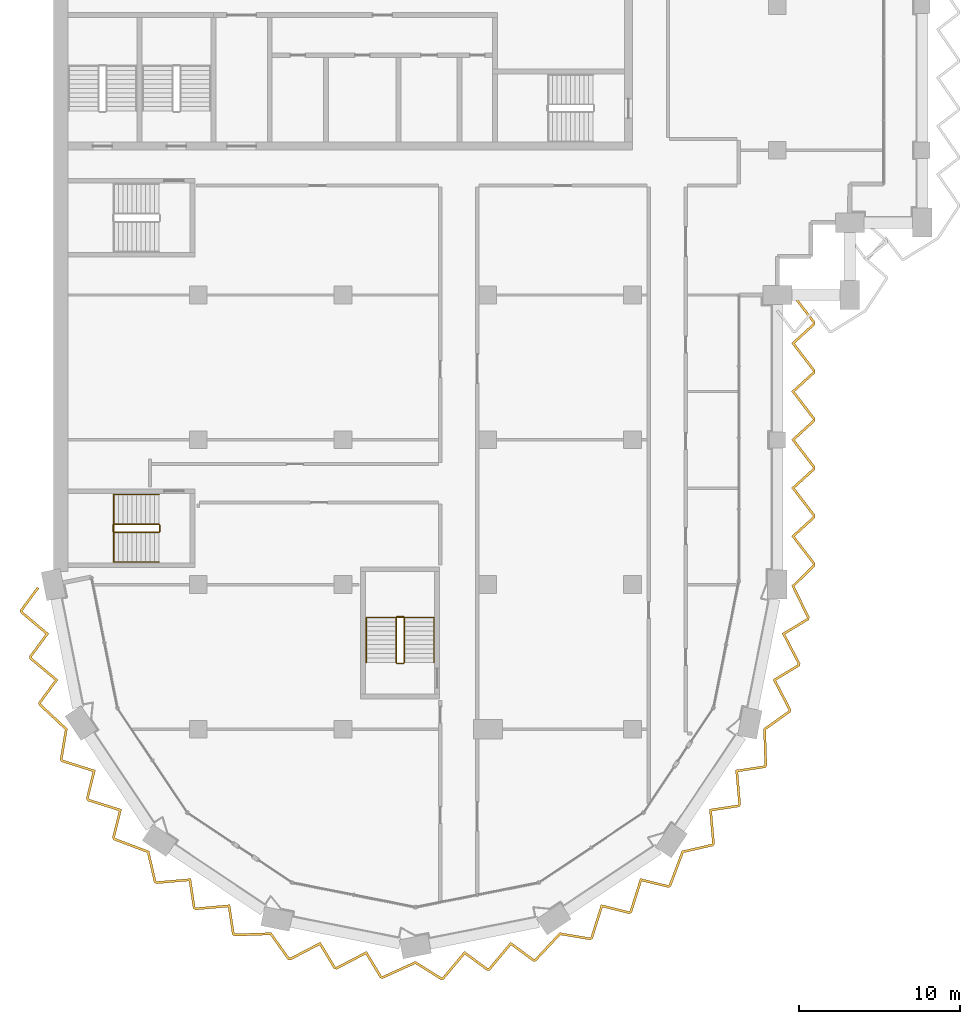
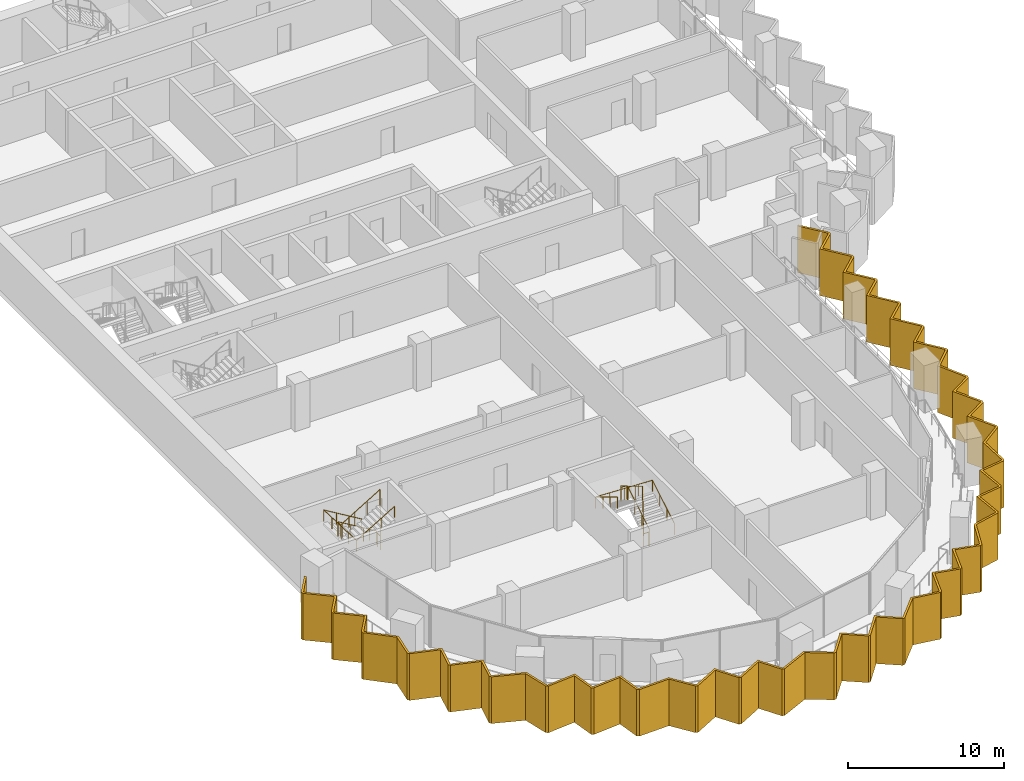
# One storey, part 14 of 17: 4 railings, 1 shading device.
"""IFC4 building model written with IfcOpenShell, lengths in metres."""

import ifcopenshell
import ifcopenshell.guid

model = None  # the IFC model being written
_history = None  # IfcOwnerHistory: only IFC2X3 demands one
_inside = {}  # id of a spatial element -> (the spatial element, [elements in it])
_under = {}  # id of a project, library or spatial element -> (it, [spatial elements below it])
_declared = {}  # id of a project -> (the project, [libraries it declares])
_typed = {}  # id of a type object -> (the type object, [elements of that type])
_made_of = {}  # id of a material, layer set ... -> (it, [elements and type objects made of it])


def new_model(schema):
    """Start an empty IFC model of exactly this schema.

    Asked for "IFC4X3", IfcOpenShell would pick the latest addendum, in which some entities
    have other attributes; the version numbers below select the first issue.
    IFC2X3 requires an IfcOwnerHistory on every rooted entity: one is made here for all.
    """
    global model, _history
    if schema == "IFC4X3":
        model = ifcopenshell.file(schema_version=(4, 3, 0, 0))
    else:
        model = ifcopenshell.file(schema=schema)
    _inside.clear()
    _under.clear()
    _declared.clear()
    _typed.clear()
    _made_of.clear()
    _history = None
    if model.schema == "IFC2X3":
        org = make("IfcOrganization", Name="unknown")
        user = make(
            "IfcPersonAndOrganization",
            ThePerson=make("IfcPerson", FamilyName="unknown"),
            TheOrganization=org,
        )
        app = make(
            "IfcApplication",
            ApplicationDeveloper=org,
            Version="unknown",
            ApplicationFullName="unknown",
            ApplicationIdentifier="unknown",
        )
        _history = make(
            "IfcOwnerHistory",
            OwningUser=user,
            OwningApplication=app,
            ChangeAction="ADDED",
            CreationDate=0,
        )
    return model


def make(cls, **values):
    """One entity of the class cls with the attributes given. An attribute that is None is left unset."""
    return model.create_entity(
        cls, **{name: value for name, value in values.items() if value is not None}
    )


def rooted(cls, **values):
    """An entity with a GlobalId (a new one), such as an element, a storey or a relation."""
    return make(cls, GlobalId=ifcopenshell.guid.new(), OwnerHistory=_history, **values)


def si_unit(unit_type, name, prefix=None):
    """IfcSIUnit, for example si_unit("LENGTHUNIT", "METRE", prefix="MILLI")."""
    return make("IfcSIUnit", UnitType=unit_type, Prefix=prefix, Name=name)


def assignment(units):
    """IfcUnitAssignment: the units of a project."""
    return None if units is None else make("IfcUnitAssignment", Units=units)


def point(xyz):
    """IfcCartesianPoint."""
    return None if xyz is None else make("IfcCartesianPoint", Coordinates=xyz)


def direction(xyz):
    """IfcDirection."""
    return None if xyz is None else make("IfcDirection", DirectionRatios=xyz)


def frame(location, z_axis=None, x_axis=None):
    """IfcAxis2Placement3D, a coordinate frame: its origin and axes. An axis left out is left unset."""
    return make(
        "IfcAxis2Placement3D",
        Location=point(location),
        Axis=direction(z_axis),
        RefDirection=direction(x_axis),
    )


def frame_2d(location, x_axis=None):
    """IfcAxis2Placement2D, a coordinate frame in the plane: its origin and x axis."""
    return make(
        "IfcAxis2Placement2D", Location=point(location), RefDirection=direction(x_axis)
    )


def origin():
    """The frame at (0, 0, 0) with its axes left unset."""
    return frame((0.0, 0.0, 0.0))


def origin_2d():
    """The frame at (0, 0) in the plane with its x axis left unset."""
    return frame_2d((0.0, 0.0))


def place(relative_to, where):
    """IfcLocalPlacement: puts the frame where relative to a parent placement (None: the world)."""
    return make(
        "IfcLocalPlacement", PlacementRelTo=relative_to, RelativePlacement=where
    )


def context(
    kind, dimensions, precision=None, world=None, true_north=None, identifier=None
):
    """IfcGeometricRepresentationContext, for example the 3D "Model" context."""
    return make(
        "IfcGeometricRepresentationContext",
        ContextIdentifier=identifier,
        ContextType=kind,
        CoordinateSpaceDimension=dimensions,
        Precision=precision,
        WorldCoordinateSystem=world,
        TrueNorth=true_north,
    )


def subcontext(parent, identifier, kind, view, scale=None):
    """IfcGeometricRepresentationSubContext, for example "Body" below "Model"."""
    return make(
        "IfcGeometricRepresentationSubContext",
        ContextIdentifier=identifier,
        ContextType=kind,
        ParentContext=parent,
        TargetScale=scale,
        TargetView=view,
    )


def project(units=None, contexts=None):
    """IfcProject with its units and contexts."""
    return rooted(
        "IfcProject",
        Name="project",
        RepresentationContexts=contexts,
        UnitsInContext=assignment(units),
    )


def spatial(cls, under=None, at=None, **own):
    """A site, building, storey or space (cls), placed at a placement, below another one or the project."""
    s = rooted(cls, ObjectPlacement=at, **own)
    if under is not None:
        _under.setdefault(under.id(), (under, []))[1].append(s)
    return s


def polyline(points):
    """IfcPolyline through the points."""
    return make("IfcPolyline", Points=[point(p) for p in points])


def profile(cls, at=None, kind="AREA", **sizes):
    """A parametric profile (cls). Its sizes go by their IFC names, for example OverallWidth=200.0."""
    return make(cls, ProfileType=kind, Position=at, **sizes)


def circle(**sizes):
    """IfcCircleProfileDef."""
    return profile("IfcCircleProfileDef", **sizes)


def outline(outer, holes=None, kind="AREA"):
    """IfcArbitraryClosedProfileDef: a profile drawn as a closed curve; with holes, ...WithVoids."""
    if holes is None:
        return make("IfcArbitraryClosedProfileDef", ProfileType=kind, OuterCurve=outer)
    return make(
        "IfcArbitraryProfileDefWithVoids",
        ProfileType=kind,
        OuterCurve=outer,
        InnerCurves=holes,
    )


def extrude(swept, where, along, depth):
    """IfcExtrudedAreaSolid: the profile swept, set in the frame where, extruded along a direction by depth."""
    return make(
        "IfcExtrudedAreaSolid",
        SweptArea=swept,
        Position=where,
        ExtrudedDirection=direction(along),
        Depth=depth,
    )


def shape(context_of_items, identifier, shape_type, items):
    """IfcShapeRepresentation: the items that make up one representation, for example the "Body"."""
    return make(
        "IfcShapeRepresentation",
        ContextOfItems=context_of_items,
        RepresentationIdentifier=identifier,
        RepresentationType=shape_type,
        Items=items,
    )


def material(Name=None, Category=None):
    """IfcMaterial."""
    return make("IfcMaterial", Name=Name, Category=Category)


def layer(
    of_material, thickness, ventilated=None, Name=None, Category=None, Priority=None
):
    """IfcMaterialLayer: one layer of a wall or slab, of a material (None: an air gap)."""
    return make(
        "IfcMaterialLayer",
        Material=of_material,
        LayerThickness=thickness,
        IsVentilated=ventilated,
        Name=Name,
        Category=Category,
        Priority=Priority,
    )


def layer_set(layers, Name=None):
    """IfcMaterialLayerSet."""
    return make("IfcMaterialLayerSet", MaterialLayers=layers, LayerSetName=Name)


def made_of(thing, what):
    """Note that an element or type object is made of a material, layer set ...; save() writes the relation."""
    if what is not None:
        _made_of.setdefault(what.id(), (what, []))[1].append(thing)
    return thing


def type_object(cls, material=None, **own):
    """A type object (cls), such as IfcWallType, which elements share."""
    return made_of(rooted(cls, **own), material)


def element(
    cls,
    number,
    at=None,
    inside=None,
    cuts=None,
    type_object=None,
    material=None,
    context=None,
    identifier="Body",
    shape_type=None,
    held_by="IfcProductDefinitionShape",
    body=None,
    shapes=None,
    **own,
):
    """One element of the class cls, such as IfcWall. Its Tag is "e" and its number.

    at: its placement. inside: the storey or other place that contains it. cuts: it is an
    opening in that element (IfcRelVoidsElement). A single representation is given by context,
    identifier, shape_type and body (its items); several are given by shapes. held_by: the class
    of the entity that holds the representations. save() writes the other relations.
    """
    e = rooted(cls, Tag="e%d" % number, ObjectPlacement=at, **own)
    if body is not None:
        shapes = [shape(context, identifier, shape_type, body)]
    if shapes is not None:
        e.Representation = make(held_by, Representations=shapes)
    if inside is not None:
        _inside.setdefault(inside.id(), (inside, []))[1].append(e)
    if cuts is not None:
        rooted(
            "IfcRelVoidsElement", RelatingBuildingElement=cuts, RelatedOpeningElement=e
        )
    if type_object is not None:
        _typed.setdefault(type_object.id(), (type_object, []))[1].append(e)
    return made_of(e, material)


def aggregate(whole, parts):
    """IfcRelAggregates: a whole, such as a stair, and the parts it consists of."""
    return rooted("IfcRelAggregates", RelatingObject=whole, RelatedObjects=parts)


def save(model, path):
    """Write the relations noted so far, then the file.

    IfcRelAggregates (storeys below a building ...), IfcRelContainedInSpatialStructure (elements
    in a storey), IfcRelDefinesByType, IfcRelAssociatesMaterial and IfcRelDeclares: one each for
    every whole, place, type object, material and project.
    """
    for whole, parts in _under.values():
        aggregate(whole, parts)
    for where, things in _inside.values():
        rooted(
            "IfcRelContainedInSpatialStructure",
            RelatedElements=things,
            RelatingStructure=where,
        )
    for kind, things in _typed.values():
        rooted("IfcRelDefinesByType", RelatedObjects=things, RelatingType=kind)
    for what, things in _made_of.values():
        rooted("IfcRelAssociatesMaterial", RelatedObjects=things, RelatingMaterial=what)
    for by, libraries in _declared.values():
        rooted("IfcRelDeclares", RelatingContext=by, RelatedDefinitions=libraries)
    model.write(path)


model = new_model("IFC4")

# Units and contexts
model_context = context("Model", 3, precision=1e-05, world=origin(), true_north=direction((0.0, 1.0)))
body_context = subcontext(model_context, "Body", "Model", "MODEL_VIEW")
ifc_project = project(units=[si_unit("LENGTHUNIT", "METRE"), si_unit("AREAUNIT", "SQUARE_METRE"), si_unit("VOLUMEUNIT", "CUBIC_METRE"), si_unit("PLANEANGLEUNIT", "RADIAN"), si_unit("MASSUNIT", "GRAM", prefix="KILO")], contexts=[model_context])

# Site, building, storey
site_placement = place(None, origin())
site = spatial("IfcSite", under=ifc_project, at=site_placement, CompositionType="ELEMENT")
building_placement = place(site_placement, origin())
building = spatial("IfcBuilding", under=site, at=building_placement, Name="Hunhe Ridgeline Campus", CompositionType="ELEMENT")
storey_placement = place(building_placement, frame((0.0, 0.0, 193.89990234375)))
storey = spatial("IfcBuildingStorey", under=building, at=storey_placement, Name="L49", CompositionType="ELEMENT", Elevation=193.89990234375)

# Shading device
ifc_material_1 = material(Name="Concrete C50", Category="concrete")
ifc_layer = layer(ifc_material_1, 0.14990234375)
ifc_layer_set = layer_set([ifc_layer], Name="Sawtooth concrete fin 150 Concrete C50")
shading_device_type = type_object("IfcShadingDeviceType", Name="Sawtooth concrete fin 150 Concrete C50", PredefinedType="USERDEFINED", material=ifc_layer_set)
shading_device_placement = place(storey_placement, frame((0.0, 0.0, -0.949951171875)))
element("IfcShadingDevice", 1, at=shading_device_placement, inside=storey, type_object=shading_device_type, Name="Concrete fin screen 1", ObjectType="FIN", PredefinedType="USERDEFINED", context=body_context, shape_type="SweptSolid", body=[
    extrude(outline(polyline([(-0.89599609375, 35.765380859375), (-1.0166015625, 35.854248046875), (-2.079833984375, 34.41064453125), (-2.044921875, 34.23486328125), (-0.487548828125, 32.927490234375), (-1.509033203125, 31.54052734375), (-1.47412109375, 31.364501953125), (0.08349609375, 30.057373046875), (-0.938232421875, 28.67041015625), (-0.903564453125, 28.496826171875), (0.713623046875, 26.98193359375), (0.401123046875, 25.12255859375), (0.4990234375, 24.97607421875), (2.438232421875, 24.364501953125), (2.025146484375, 22.692138671875), (2.124755859375, 22.54296875), (4.06396484375, 21.93115234375), (3.65087890625, 20.259033203125), (3.749267578125, 20.11181640625), (5.822998046875, 19.3310546875), (6.245849609375, 17.49365234375), (6.392333984375, 17.39599609375), (8.41796875, 17.57275390625), (8.67626953125, 15.869873046875), (8.825439453125, 15.77001953125), (10.85107421875, 15.947021484375), (11.109375, 14.244140625), (11.2568359375, 14.1455078125), (13.471435546875, 14.218017578125), (14.565185546875, 12.682373046875), (14.738037109375, 12.64794921875), (16.541748046875, 13.58642578125), (17.43212890625, 12.112060546875), (17.608154296875, 12.076904296875), (19.411865234375, 13.015625), (20.30224609375, 11.541015625), (20.47607421875, 11.506591796875), (22.494384765625, 12.4208984375), (24.092529296875, 11.420654296875), (24.26513671875, 11.455078125), (25.572509765625, 13.012451171875), (26.95947265625, 11.990966796875), (27.135498046875, 12.02587890625), (28.442626953125, 13.58349609375), (29.82958984375, 12.561767578125), (30.003173828125, 12.596435546875), (31.51806640625, 14.213623046875), (33.37744140625, 13.901123046875), (33.52392578125, 13.9990234375), (34.135498046875, 15.938232421875), (35.807861328125, 15.525146484375), (35.95703125, 15.624755859375), (36.56884765625, 17.56396484375), (38.240966796875, 17.15087890625), (38.38818359375, 17.249267578125), (39.1689453125, 19.322998046875), (41.00634765625, 19.745849609375), (41.10400390625, 19.892333984375), (40.92724609375, 21.91796875), (42.630126953125, 22.17626953125), (42.72998046875, 22.325439453125), (42.552978515625, 24.35107421875), (44.255859375, 24.609375), (44.3544921875, 24.7568359375), (44.281982421875, 26.971435546875), (45.817626953125, 28.065185546875), (45.85205078125, 28.238037109375), (44.91357421875, 30.041748046875), (46.387939453125, 30.93212890625), (46.423095703125, 31.108154296875), (45.484375, 32.911865234375), (46.958984375, 33.80224609375), (46.99365234375, 33.97705078125), (46.06591796875, 35.888427734375), (47.35009765625, 37.154541015625), (47.35009765625, 37.33154296875), (46.076416015625, 38.990966796875), (47.35009765625, 40.15283203125), (47.35009765625, 40.33154296875), (46.076416015625, 41.990966796875), (47.35009765625, 43.15283203125), (47.35009765625, 43.33154296875), (46.076416015625, 44.990966796875), (47.35009765625, 46.15283203125), (47.35009765625, 46.33154296875), (46.076416015625, 47.990966796875), (47.35009765625, 49.15283203125), (47.35009765625, 49.33154296875), (46.076416015625, 50.990966796875), (47.35009765625, 52.15283203125), (47.35009765625, 52.33154296875), (46.034423828125, 54.045654296875), (45.91552734375, 53.954345703125), (47.199951171875, 52.280517578125), (47.199951171875, 52.21923828125), (45.87353515625, 51.009033203125), (47.199951171875, 49.280517578125), (47.199951171875, 49.21923828125), (45.87353515625, 48.009033203125), (47.199951171875, 46.280517578125), (47.199951171875, 46.21923828125), (45.87353515625, 45.009033203125), (47.199951171875, 43.280517578125), (47.199951171875, 43.21923828125), (45.87353515625, 42.009033203125), (47.199951171875, 40.280517578125), (47.199951171875, 40.21923828125), (45.87353515625, 39.009033203125), (47.199951171875, 37.280517578125), (47.199951171875, 37.21728515625), (45.884033203125, 35.919677734375), (46.836669921875, 33.956787109375), (46.82470703125, 33.896484375), (45.286376953125, 32.967529296875), (46.265625, 31.085693359375), (46.253662109375, 31.0263671875), (44.71533203125, 30.097412109375), (45.694580078125, 28.215576171875), (45.68212890625, 28.15283203125), (44.12939453125, 27.046875), (44.202880859375, 24.800048828125), (44.16796875, 24.747802734375), (42.391357421875, 24.478271484375), (42.575927734375, 22.364990234375), (42.542236328125, 22.314697265625), (40.765625, 22.045166015625), (40.9501953125, 19.931884765625), (40.91455078125, 19.878662109375), (39.056884765625, 19.451171875), (38.264892578125, 17.34716796875), (38.212646484375, 17.312255859375), (36.468017578125, 17.743408203125), (35.829833984375, 15.72021484375), (35.779541015625, 15.6865234375), (34.034912109375, 16.117431640625), (33.396728515625, 14.094482421875), (33.343505859375, 14.058837890625), (31.463623046875, 14.375), (29.9267578125, 12.734130859375), (29.865234375, 12.721923828125), (28.418212890625, 13.78759765625), (27.054443359375, 12.162841796875), (26.9951171875, 12.151123046875), (25.548095703125, 13.216796875), (24.184326171875, 11.592041015625), (24.12158203125, 11.579345703125), (22.505615234375, 12.5908203125), (20.4580078125, 11.6630859375), (20.396484375, 11.67529296875), (19.467529296875, 13.213623046875), (17.585693359375, 12.234375), (17.5263671875, 12.246337890625), (16.597412109375, 13.78466796875), (14.715576171875, 12.805419921875), (14.65283203125, 12.81787109375), (13.546875, 14.37060546875), (11.300048828125, 14.297119140625), (11.247802734375, 14.33203125), (10.978271484375, 16.108642578125), (8.864990234375, 15.924072265625), (8.814697265625, 15.957763671875), (8.545166015625, 17.734375), (6.431884765625, 17.5498046875), (6.378662109375, 17.58544921875), (5.951171875, 19.443115234375), (3.84716796875, 20.235107421875), (3.812255859375, 20.287353515625), (4.243408203125, 22.031982421875), (2.22021484375, 22.670166015625), (2.1865234375, 22.720458984375), (2.617431640625, 24.465087890625), (0.594482421875, 25.103271484375), (0.558837890625, 25.156494140625), (0.875, 27.036376953125), (-0.765869140625, 28.5732421875), (-0.778076171875, 28.634765625), (0.28759765625, 30.081787109375), (-1.337158203125, 31.445556640625), (-1.348876953125, 31.5048828125), (-0.283203125, 32.951904296875), (-1.907958984375, 34.315673828125), (-1.919921875, 34.375), (-0.89599609375, 35.765380859375)])), origin(), (0.0, 0.0, 1.0), 3.650146484375),
])

# Railings
ifc_material_2 = material(Name="Stainless steel balustrade", Category="steel")
railing_type_1 = type_object("IfcRailingType", Name="Stair guard 1100 stainless", PredefinedType="GUARDRAIL", material=ifc_material_2)
railing_1_placement = place(storey_placement, frame((21.800048828125, 31.14990234375, 0.168212890625)))
element("IfcRailing", 2, at=railing_1_placement, inside=storey, type_object=railing_type_1, Name="L49 stair W3 guard", PredefinedType="GUARDRAIL", context=body_context, shape_type="SweptSolid", body=[
    extrude(circle(Radius=0.02392578125, at=origin_2d()), frame((0.0, 0.0, 1.076171875), z_axis=(0.0, 0.857242210791, 0.514913383045), x_axis=(-1.0, 0.0, 0.0)), (0.0, 0.0, 1.0), 3.266357421875),
    extrude(circle(Radius=0.02392578125, at=origin_2d()), frame((0.0, 2.800048828125, 2.7578125), z_axis=(-0.707106781187, 0.707106781187, 0.0), x_axis=(-0.707106781187, -0.707106781187, 0.0)), (0.0, 0.0, 1.0), 0.07080078125),
    extrude(circle(Radius=0.02392578125, at=origin_2d()), frame((-0.050048828125, 2.85009765625, 2.7578125), z_axis=(-1.0, 0.0, 0.0), x_axis=(0.0, -1.0, 0.0)), (0.0, 0.0, 1.0), 0.39990234375),
    extrude(circle(Radius=0.02392578125, at=origin_2d()), frame((-0.449951171875, 2.85009765625, 2.7578125), z_axis=(-0.274243871929, -0.274243871929, 0.92172696468), x_axis=(0.707106781187, -0.707106781187, 0.0)), (0.0, 0.0, 1.0), 0.1826171875),
    extrude(circle(Radius=0.02392578125, at=origin_2d()), frame((-0.5, 2.800048828125, 2.92626953125), z_axis=(0.0, -0.857242210791, 0.514913383045), x_axis=(1.0, 0.0, 0.0)), (0.0, 0.0, 1.0), 3.266357421875),
    extrude(circle(Radius=0.02392578125, at=origin_2d()), frame((-0.5, 0.0, 4.60791015625), z_axis=(0.013523534403, -0.013457565943, -0.999817987404), x_axis=(0.705375805398, 0.708833529934, 0.0)), (0.0, 0.0, 1.0), 3.700927734375),
    extrude(circle(Radius=0.02392578125, at=origin_2d()), frame((-0.449951171875, -0.0498046875, 0.90771484375), z_axis=(1.0, 0.0, 0.0), x_axis=(0.0, 1.0, 0.0)), (0.0, 0.0, 1.0), 0.39990234375),
    extrude(circle(Radius=0.02099609375, at=origin_2d()), origin(), (0.0, 0.0, 1.0), 1.052001953125),
    extrude(circle(Radius=0.02099609375, at=origin_2d()), frame((0.0, 0.933349609375, 0.560546875)), (0.0, 0.0, 1.0), 1.052001953125),
    extrude(circle(Radius=0.02099609375, at=origin_2d()), frame((0.0, 1.86669921875, 1.121337890625)), (0.0, 0.0, 1.0), 1.052001953125),
    extrude(circle(Radius=0.02099609375, at=origin_2d()), frame((0.0, 2.800048828125, 1.681884765625)), (0.0, 0.0, 1.0), 1.052001953125),
    extrude(circle(Radius=0.02099609375, at=origin_2d()), frame((-0.050048828125, 2.85009765625, 1.681884765625)), (0.0, 0.0, 1.0), 1.052001953125),
    extrude(circle(Radius=0.02099609375, at=origin_2d()), frame((-0.449951171875, 2.85009765625, 1.681884765625)), (0.0, 0.0, 1.0), 1.052001953125),
    extrude(circle(Radius=0.02099609375, at=origin_2d()), frame((-0.5, 2.800048828125, 1.85009765625)), (0.0, 0.0, 1.0), 1.052001953125),
    extrude(circle(Radius=0.02099609375, at=origin_2d()), frame((-0.5, 1.86669921875, 2.41064453125)), (0.0, 0.0, 1.0), 1.052001953125),
    extrude(circle(Radius=0.02099609375, at=origin_2d()), frame((-0.5, 0.933349609375, 2.971435546875)), (0.0, 0.0, 1.0), 1.052001953125),
    extrude(circle(Radius=0.02099609375, at=origin_2d()), frame((-0.5, 0.0, 3.531982421875)), (0.0, 0.0, 1.0), 1.052001953125),
    extrude(circle(Radius=0.02099609375, at=origin_2d()), frame((-0.487548828125, -0.012451171875, 2.60693359375)), (0.0, 0.0, 1.0), 1.052001953125),
    extrude(circle(Radius=0.02099609375, at=origin_2d()), frame((-0.47509765625, -0.02490234375, 1.681884765625)), (0.0, 0.0, 1.0), 1.052001953125),
    extrude(circle(Radius=0.02099609375, at=origin_2d()), frame((-0.46240234375, -0.037353515625, 0.7568359375)), (0.0, 0.0, 1.0), 1.052001953125),
    extrude(circle(Radius=0.02099609375, at=origin_2d()), frame((-0.449951171875, -0.0498046875, -0.168212890625)), (0.0, 0.0, 1.0), 1.052001953125),
    extrude(circle(Radius=0.02099609375, at=origin_2d()), frame((-0.050048828125, -0.0498046875, -0.168212890625)), (0.0, 0.0, 1.0), 1.052001953125),
])
railing_2_placement = place(storey_placement, frame((6.550048828125, 39.75, 0.168212890625)))
element("IfcRailing", 3, at=railing_2_placement, inside=storey, type_object=railing_type_1, Name="L49 stair W1 guard", PredefinedType="GUARDRAIL", context=body_context, shape_type="SweptSolid", body=[
    extrude(circle(Radius=0.02392578125, at=origin_2d()), frame((0.0, 0.0, 1.076171875), z_axis=(-0.857242210791, 0.0, 0.514913383045), x_axis=(0.0, -1.0, 0.0)), (0.0, 0.0, 1.0), 3.266357421875),
    extrude(circle(Radius=0.02392578125, at=origin_2d()), frame((-2.800048828125, 0.0, 2.7578125), z_axis=(-0.707106781187, -0.707106781187, 0.0), x_axis=(0.707106781187, -0.707106781187, 0.0)), (0.0, 0.0, 1.0), 0.07080078125),
    extrude(circle(Radius=0.02392578125, at=origin_2d()), frame((-2.85009765625, -0.050048828125, 2.7578125), z_axis=(0.0, -1.0, 0.0), x_axis=(1.0, 0.0, 0.0)), (0.0, 0.0, 1.0), 0.39990234375),
    extrude(circle(Radius=0.02392578125, at=origin_2d()), frame((-2.85009765625, -0.449951171875, 2.7578125), z_axis=(0.274243871929, -0.274243871929, 0.92172696468), x_axis=(0.707106781187, 0.707106781187, 0.0)), (0.0, 0.0, 1.0), 0.1826171875),
    extrude(circle(Radius=0.02392578125, at=origin_2d()), frame((-2.800048828125, -0.5, 2.92626953125), z_axis=(0.857242210791, 0.0, 0.514913383045), x_axis=(0.0, 1.0, 0.0)), (0.0, 0.0, 1.0), 3.266357421875),
    extrude(circle(Radius=0.02392578125, at=origin_2d()), frame((0.0, -0.5, 4.60791015625), z_axis=(0.013523522368, 0.013523522368, -0.999817097616), x_axis=(-0.707106781187, 0.707106781187, 0.0)), (0.0, 0.0, 1.0), 3.700927734375),
    extrude(circle(Radius=0.02392578125, at=origin_2d()), frame((0.050048828125, -0.449951171875, 0.90771484375), z_axis=(0.0, 1.0, 0.0), x_axis=(-1.0, 0.0, 0.0)), (0.0, 0.0, 1.0), 0.39990234375),
    extrude(circle(Radius=0.02099609375, at=origin_2d()), origin(), (0.0, 0.0, 1.0), 1.052001953125),
    extrude(circle(Radius=0.02099609375, at=origin_2d()), frame((-0.933349609375, 0.0, 0.560546875)), (0.0, 0.0, 1.0), 1.052001953125),
    extrude(circle(Radius=0.02099609375, at=origin_2d()), frame((-1.86669921875, 0.0, 1.121337890625)), (0.0, 0.0, 1.0), 1.052001953125),
    extrude(circle(Radius=0.02099609375, at=origin_2d()), frame((-2.800048828125, 0.0, 1.681884765625)), (0.0, 0.0, 1.0), 1.052001953125),
    extrude(circle(Radius=0.02099609375, at=origin_2d()), frame((-2.85009765625, -0.050048828125, 1.681884765625)), (0.0, 0.0, 1.0), 1.052001953125),
    extrude(circle(Radius=0.02099609375, at=origin_2d()), frame((-2.85009765625, -0.449951171875, 1.681884765625)), (0.0, 0.0, 1.0), 1.052001953125),
    extrude(circle(Radius=0.02099609375, at=origin_2d()), frame((-2.800048828125, -0.5, 1.85009765625)), (0.0, 0.0, 1.0), 1.052001953125),
    extrude(circle(Radius=0.02099609375, at=origin_2d()), frame((-1.86669921875, -0.5, 2.41064453125)), (0.0, 0.0, 1.0), 1.052001953125),
    extrude(circle(Radius=0.02099609375, at=origin_2d()), frame((-0.933349609375, -0.5, 2.971435546875)), (0.0, 0.0, 1.0), 1.052001953125),
    extrude(circle(Radius=0.02099609375, at=origin_2d()), frame((0.0, -0.5, 3.531982421875)), (0.0, 0.0, 1.0), 1.052001953125),
    extrude(circle(Radius=0.02099609375, at=origin_2d()), frame((0.012451171875, -0.487548828125, 2.60693359375)), (0.0, 0.0, 1.0), 1.052001953125),
    extrude(circle(Radius=0.02099609375, at=origin_2d()), frame((0.02490234375, -0.47509765625, 1.681884765625)), (0.0, 0.0, 1.0), 1.052001953125),
    extrude(circle(Radius=0.02099609375, at=origin_2d()), frame((0.03759765625, -0.46240234375, 0.7568359375)), (0.0, 0.0, 1.0), 1.052001953125),
    extrude(circle(Radius=0.02099609375, at=origin_2d()), frame((0.050048828125, -0.449951171875, -0.168212890625)), (0.0, 0.0, 1.0), 1.052001953125),
    extrude(circle(Radius=0.02099609375, at=origin_2d()), frame((0.050048828125, -0.050048828125, -0.168212890625)), (0.0, 0.0, 1.0), 1.052001953125),
])
ifc_material_3 = material(Name="Stainless steel handrail", Category="steel")
railing_type_2 = type_object("IfcRailingType", Name="Stair handrail 900 stainless", PredefinedType="HANDRAIL", material=ifc_material_3)
railing_3_placement = place(storey_placement, frame((23.64990234375, 31.14990234375, 0.168212890625)))
element("IfcRailing", 4, at=railing_3_placement, inside=storey, type_object=railing_type_2, Name="L49 stair W3 handrail", PredefinedType="HANDRAIL", context=body_context, shape_type="SweptSolid", body=[
    extrude(circle(Radius=0.02392578125, at=origin_2d()), frame((0.0, 0.0, 0.8759765625), z_axis=(0.0, 0.857242210791, 0.514913383045), x_axis=(-1.0, 0.0, 0.0)), (0.0, 0.0, 1.0), 3.266357421875),
    extrude(circle(Radius=0.02392578125, at=origin_2d()), frame((0.0, 2.800048828125, 2.5576171875), z_axis=(-0.999198916169, 0.0, 0.040019069537), x_axis=(0.0, -1.0, 0.0)), (0.0, 0.0, 1.0), 4.203369140625),
    extrude(circle(Radius=0.02392578125, at=origin_2d()), frame((-4.199951171875, 2.800048828125, 2.72607421875), z_axis=(0.0, -0.857242210791, 0.514913383045), x_axis=(1.0, 0.0, 0.0)), (0.0, 0.0, 1.0), 3.266357421875),
    extrude(circle(Radius=0.02099609375, at=origin_2d()), origin(), (0.0, 0.0, 1.0), 0.851806640625),
    extrude(circle(Radius=0.02099609375, at=origin_2d()), frame((0.0, 0.933349609375, 0.560546875)), (0.0, 0.0, 1.0), 0.851806640625),
    extrude(circle(Radius=0.02099609375, at=origin_2d()), frame((0.0, 1.86669921875, 1.121337890625)), (0.0, 0.0, 1.0), 0.851806640625),
    extrude(circle(Radius=0.02099609375, at=origin_2d()), frame((0.0, 2.800048828125, 1.681884765625)), (0.0, 0.0, 1.0), 0.851806640625),
    extrude(circle(Radius=0.02099609375, at=origin_2d()), frame((-1.050048828125, 2.800048828125, 1.723876953125)), (0.0, 0.0, 1.0), 0.851806640625),
    extrude(circle(Radius=0.02099609375, at=origin_2d()), frame((-2.10009765625, 2.800048828125, 1.76611328125)), (0.0, 0.0, 1.0), 0.851806640625),
    extrude(circle(Radius=0.02099609375, at=origin_2d()), frame((-3.14990234375, 2.800048828125, 1.80810546875)), (0.0, 0.0, 1.0), 0.851806640625),
    extrude(circle(Radius=0.02099609375, at=origin_2d()), frame((-4.199951171875, 2.800048828125, 1.85009765625)), (0.0, 0.0, 1.0), 0.851806640625),
    extrude(circle(Radius=0.02099609375, at=origin_2d()), frame((-4.199951171875, 1.86669921875, 2.41064453125)), (0.0, 0.0, 1.0), 0.851806640625),
    extrude(circle(Radius=0.02099609375, at=origin_2d()), frame((-4.199951171875, 0.933349609375, 2.971435546875)), (0.0, 0.0, 1.0), 0.851806640625),
    extrude(circle(Radius=0.02099609375, at=origin_2d()), frame((-4.199951171875, 0.0, 3.531982421875)), (0.0, 0.0, 1.0), 0.851806640625),
])
railing_4_placement = place(storey_placement, frame((6.550048828125, 41.60009765625, 0.168212890625)))
element("IfcRailing", 5, at=railing_4_placement, inside=storey, type_object=railing_type_2, Name="L49 stair W1 handrail", PredefinedType="HANDRAIL", context=body_context, shape_type="SweptSolid", body=[
    extrude(circle(Radius=0.02392578125, at=origin_2d()), frame((0.0, 0.0, 0.8759765625), z_axis=(-0.857242210791, 0.0, 0.514913383045), x_axis=(0.0, -1.0, 0.0)), (0.0, 0.0, 1.0), 3.266357421875),
    extrude(circle(Radius=0.02392578125, at=origin_2d()), frame((-2.800048828125, 0.0, 2.5576171875), z_axis=(0.0, -0.999199009182, 0.040016747113), x_axis=(1.0, 0.0, 0.0)), (0.0, 0.0, 1.0), 4.20361328125),
    extrude(circle(Radius=0.02392578125, at=origin_2d()), frame((-2.800048828125, -4.2001953125, 2.72607421875), z_axis=(0.857242210791, 0.0, 0.514913383045), x_axis=(0.0, 1.0, 0.0)), (0.0, 0.0, 1.0), 3.266357421875),
    extrude(circle(Radius=0.02099609375, at=origin_2d()), origin(), (0.0, 0.0, 1.0), 0.851806640625),
    extrude(circle(Radius=0.02099609375, at=origin_2d()), frame((-0.933349609375, 0.0, 0.560546875)), (0.0, 0.0, 1.0), 0.851806640625),
    extrude(circle(Radius=0.02099609375, at=origin_2d()), frame((-1.86669921875, 0.0, 1.121337890625)), (0.0, 0.0, 1.0), 0.851806640625),
    extrude(circle(Radius=0.02099609375, at=origin_2d()), frame((-2.800048828125, 0.0, 1.681884765625)), (0.0, 0.0, 1.0), 0.851806640625),
    extrude(circle(Radius=0.02099609375, at=origin_2d()), frame((-2.800048828125, -1.050048828125, 1.723876953125)), (0.0, 0.0, 1.0), 0.851806640625),
    extrude(circle(Radius=0.02099609375, at=origin_2d()), frame((-2.800048828125, -2.10009765625, 1.76611328125)), (0.0, 0.0, 1.0), 0.851806640625),
    extrude(circle(Radius=0.02099609375, at=origin_2d()), frame((-2.800048828125, -3.150146484375, 1.80810546875)), (0.0, 0.0, 1.0), 0.851806640625),
    extrude(circle(Radius=0.02099609375, at=origin_2d()), frame((-2.800048828125, -4.2001953125, 1.85009765625)), (0.0, 0.0, 1.0), 0.851806640625),
    extrude(circle(Radius=0.02099609375, at=origin_2d()), frame((-1.86669921875, -4.2001953125, 2.41064453125)), (0.0, 0.0, 1.0), 0.851806640625),
    extrude(circle(Radius=0.02099609375, at=origin_2d()), frame((-0.933349609375, -4.2001953125, 2.971435546875)), (0.0, 0.0, 1.0), 0.851806640625),
    extrude(circle(Radius=0.02099609375, at=origin_2d()), frame((0.0, -4.2001953125, 3.531982421875)), (0.0, 0.0, 1.0), 0.851806640625),
])

save(model, "model.ifc")
